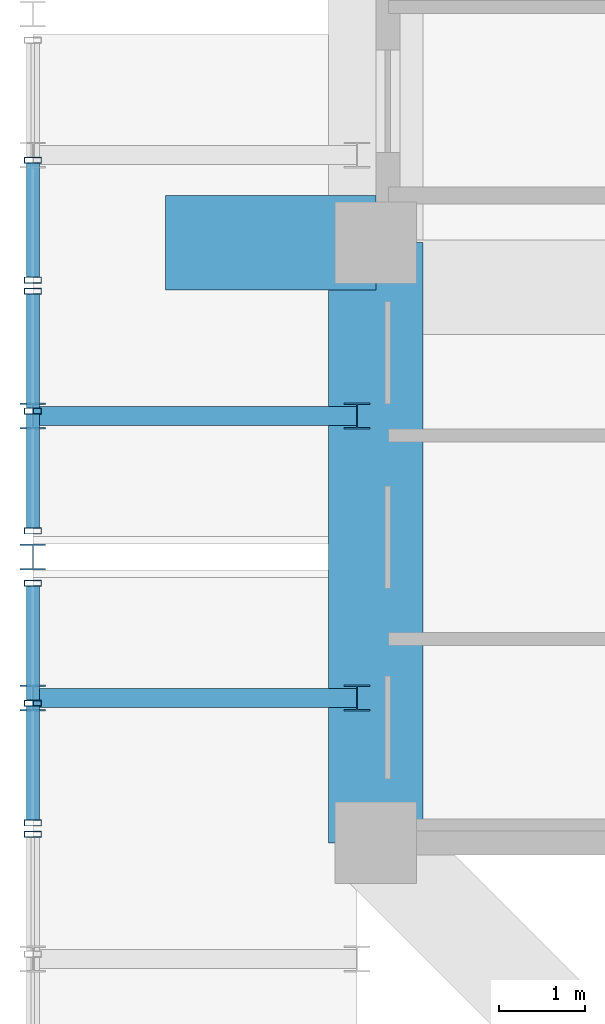
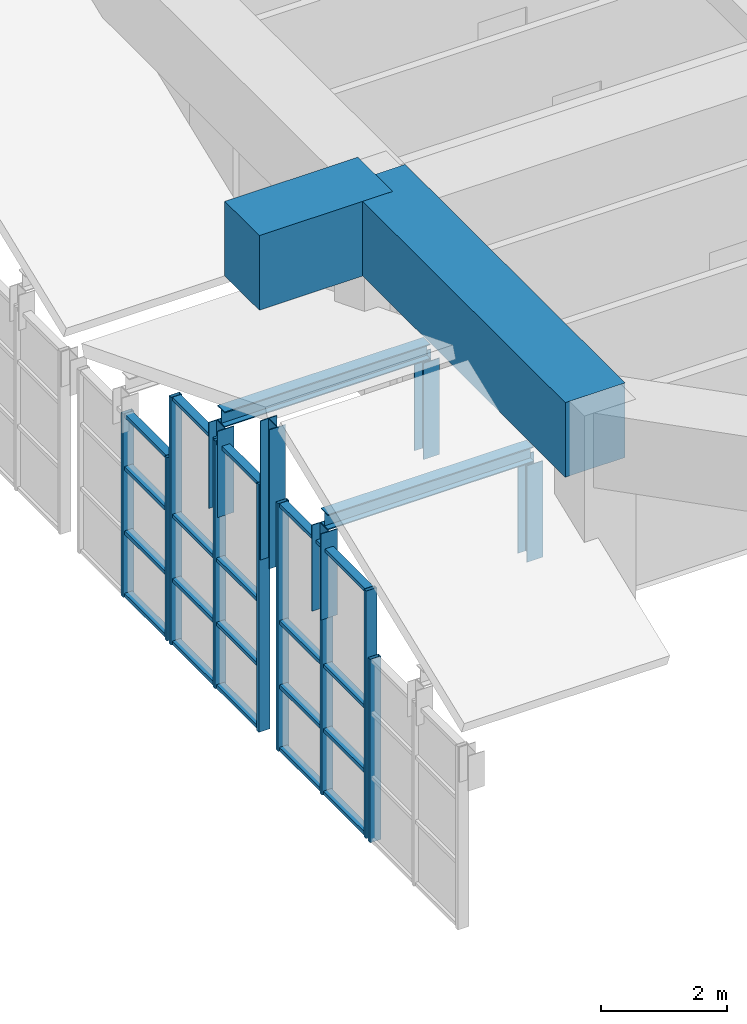
# One storey, part 4 of 45: 36 members, 2 beams, 4 elements without a shape of their own.
"""IFC4 building model written with IfcOpenShell, lengths in metres."""

from ifc_helpers import new_model, si_unit, direction, frame, origin, origin_2d, place, context, subcontext, project, spatial, rectangle, hollow_rectangle, i_section, extrude, source, transform, mapped, material, layer, layer_set, material_profile, profile_set, type_object, element, aggregate, save


model = new_model("IFC4")

# Units and contexts
model_context = context("Model", 3, precision=1e-05, world=origin(), true_north=direction((0.0, 1.0)))
body_context = subcontext(model_context, "Body", "Model", "MODEL_VIEW")
ifc_project = project(units=[si_unit("LENGTHUNIT", "METRE"), si_unit("AREAUNIT", "SQUARE_METRE"), si_unit("VOLUMEUNIT", "CUBIC_METRE"), si_unit("PLANEANGLEUNIT", "RADIAN"), si_unit("MASSUNIT", "GRAM", prefix="KILO")], contexts=[model_context])

# Site, building, storey
site_placement = place(None, origin())
site = spatial("IfcSite", under=ifc_project, at=site_placement, CompositionType="ELEMENT")
building_placement = place(site_placement, origin())
building = spatial("IfcBuilding", under=site, at=building_placement, Name="Saelheon Loggia Tower", CompositionType="ELEMENT")
storey_placement = place(building_placement, frame((0.0, 0.0, 152.199951171875)))
storey = spatial("IfcBuildingStorey", under=building, at=storey_placement, Name="L48", CompositionType="ELEMENT", Elevation=152.199951171875)

# Members
ifc_material_1 = material(Name="Steel SM355", Category="steel")
ifc_material_profile_1 = material_profile(ifc_material_1, i_section(OverallWidth=0.300048828125, OverallDepth=0.300048828125, WebThickness=0.010009765625, FlangeThickness=0.014892578125, at=origin_2d()), Name="H-300x300x10x15")
ifc_profile_set_1 = profile_set([ifc_material_profile_1], Name="Steel SM355")
member_type_1 = type_object("IfcMemberType", Name="WaveCrest_Post_H300", PredefinedType="POST", material=ifc_profile_set_1)
shared_shape_1 = source(origin(), body_context, "Body", "SweptSolid", [
    extrude(i_section(OverallWidth=0.300048828125, OverallDepth=0.300048828125, WebThickness=0.010009765625, FlangeThickness=0.014892578125, at=origin_2d()), origin(), (0.0, 0.0, 1.0), 2.699951171875),
])
member_1_placement = place(storey_placement, frame((12.0, 14.333251953125, 0.0), z_axis=(0.0, 0.0, 1.0), x_axis=(1.0, 0.0, 0.0)))
element("IfcMember", 1, at=member_1_placement, inside=storey, type_object=member_type_1, Name="Tier 1 Wave Crest Upper Post W 01", PredefinedType="POST", context=body_context, shape_type="MappedRepresentation", body=[
    mapped(shared_shape_1, transform((0.0, 0.0, 0.0), scale=1.0)),
])
ifc_material_profile_2 = material_profile(ifc_material_1, i_section(OverallWidth=0.219970703125, OverallDepth=0.300048828125, WebThickness=0.011962890625, FlangeThickness=0.02001953125, at=origin_2d()), Name="H-300x220x12x20")
ifc_profile_set_2 = profile_set([ifc_material_profile_2], Name="Steel SM355")
member_type_2 = type_object("IfcMemberType", Name="Roof_ShoulderPurlin_RHS300", PredefinedType="PURLIN", material=ifc_profile_set_2)
shared_shape_2 = source(origin(), body_context, "Body", "SweptSolid", [
    extrude(i_section(OverallWidth=0.219970703125, OverallDepth=0.300048828125, WebThickness=0.011962890625, FlangeThickness=0.02001953125, at=origin_2d()), origin(), (0.0, 0.0, 1.0), 3.780029296875),
])
for number, where, z_axis, x_axis, name in (
    (2, (12.0, 12.6884765625, 1.823486328125), (1.0, 0.0, 0.0), (0.0, 1.0, 0.0), "Tier 1 Wave Crest Rafter W 01 B"),
    (3, (12.0, 15.97802734375, 1.823486328125), (1.0, 0.0, 0.0), (0.0, 1.0, 0.0), "Tier 1 Wave Crest Rafter W 02 A"),
):
    element("IfcMember", number, at=place(storey_placement, frame(where, z_axis=z_axis, x_axis=x_axis)), inside=storey, type_object=member_type_2, Name=name, PredefinedType="PURLIN", context=body_context, shape_type="MappedRepresentation", body=[
        mapped(shared_shape_2, transform((0.0, 0.0, 0.0), scale=1.0)),
    ])
shared_shape_3 = source(origin(), body_context, "Body", "SweptSolid", [
    extrude(i_section(OverallWidth=0.300048828125, OverallDepth=0.300048828125, WebThickness=0.010009765625, FlangeThickness=0.014892578125, at=origin_2d()), origin(), (0.0, 0.0, 1.0), 1.673583984375),
])
for number, where, z_axis, x_axis, name in (
    (4, (12.0, 12.6884765625, 0.0), (0.0, 0.0, 1.0), (1.0, 0.0, 0.0), "Tier 1 Rafter Outer Upper Post W 01"),
    (5, (12.0, 15.97802734375, 0.0), (0.0, 0.0, 1.0), (1.0, 0.0, 0.0), "Tier 1 Rafter Outer Upper Post W 02"),
):
    element("IfcMember", number, at=place(storey_placement, frame(where, z_axis=z_axis, x_axis=x_axis)), inside=storey, type_object=member_type_1, Name=name, PredefinedType="POST", context=body_context, shape_type="MappedRepresentation", body=[
        mapped(shared_shape_3, transform((0.0, 0.0, 0.0), scale=1.0)),
    ])
ifc_material_profile_3 = material_profile(ifc_material_1, i_section(OverallWidth=0.300048828125, OverallDepth=0.300048828125, WebThickness=0.010009765625, FlangeThickness=0.014892578125, at=origin_2d()), Name="H-300x300x10x15")
ifc_profile_set_3 = profile_set([ifc_material_profile_3], Name="Steel SM355")
member_type_3 = type_object("IfcMemberType", Name="Belt_Post_H300", PredefinedType="POST", material=ifc_profile_set_3)
shared_shape_4 = source(origin(), body_context, "Body", "SweptSolid", [
    extrude(i_section(OverallWidth=0.300048828125, OverallDepth=0.300048828125, WebThickness=0.010009765625, FlangeThickness=0.014892578125, at=origin_2d()), origin(), (0.0, 0.0, 1.0), 1.87353515625),
])
for number, where, z_axis, x_axis, name in (
    (6, (15.780029296875, 12.6884765625, -0.199951171875), (0.0, 0.0, 1.0), (1.0, 0.0, 0.0), "Tier 1 Rafter Inner Post W 01"),
    (7, (15.780029296875, 15.97802734375, -0.199951171875), (0.0, 0.0, 1.0), (1.0, 0.0, 0.0), "Tier 1 Rafter Inner Post W 02"),
):
    element("IfcMember", number, at=place(storey_placement, frame(where, z_axis=z_axis, x_axis=x_axis)), inside=storey, type_object=member_type_3, Name=name, PredefinedType="POST", context=body_context, shape_type="MappedRepresentation", body=[
        mapped(shared_shape_4, transform((0.0, 0.0, 0.0), scale=1.0)),
    ])

# Beams
ifc_material_2 = material(Name="Concrete C50/60", Category="concrete")
ifc_material_profile_4 = material_profile(ifc_material_2, rectangle(XDim=1.10009765625, YDim=1.449951171875, at=origin_2d()), Name="RC-1100x1450")
ifc_profile_set_4 = profile_set([ifc_material_profile_4], Name="Concrete C50/60")
beam_type = type_object("IfcBeamType", Name="Beam_PerimTransfer_RC1100x1450", PredefinedType="BEAM", material=ifc_profile_set_4)
shared_shape_5 = source(origin(), body_context, "Body", "SweptSolid", [
    extrude(rectangle(XDim=1.10009765625, YDim=1.449951171875, at=origin_2d()), origin(), (0.0, 0.0, 1.0), 7.0),
])
beam_1_placement = place(storey_placement, frame((16.0, 18.0, 3.175048828125), z_axis=(0.0, -1.0, 0.0), x_axis=(1.0, 0.0, 0.0)))
element("IfcBeam", 8, at=beam_1_placement, inside=storey, type_object=beam_type, Name="L48 Perimeter Frame Girder 15", PredefinedType="BEAM", context=body_context, shape_type="MappedRepresentation", body=[
    mapped(shared_shape_5, transform((0.0, 0.0, 0.0), scale=1.0)),
])
shared_shape_6 = source(origin(), body_context, "Body", "SweptSolid", [
    extrude(rectangle(XDim=1.10009765625, YDim=1.449951171875, at=origin_2d()), origin(), (0.0, 0.0, 1.0), 2.449951171875),
])
beam_2_placement = place(storey_placement, frame((16.0, 18.0, 3.175048828125), z_axis=(-1.0, 0.0, 0.0), x_axis=(0.0, -1.0, 0.0)))
element("IfcBeam", 9, at=beam_2_placement, inside=storey, type_object=beam_type, Name="L48 Loggia Transfer Tie Beam LP-W1", PredefinedType="BEAM", context=body_context, shape_type="MappedRepresentation", body=[
    mapped(shared_shape_6, transform((0.0, 0.0, 0.0), scale=1.0)),
])

# Curtain wall, member
ifc_material_3 = material(Name="Bronze-Anodised Aluminium and Fritted Ceramic Screen", Category="aluminium")
ifc_layer = layer(ifc_material_3, 0.219970703125)
ifc_layer_set = layer_set([ifc_layer], Name="Bronze-Anodised Aluminium and Fritted Ceramic Screen")
curtain_wall_type = type_object("IfcCurtainWallType", Name="CW_CrownScreen", PredefinedType="NOTDEFINED", material=ifc_layer_set)
curtain_wall_1_placement = place(storey_placement, origin())
curtain_wall_1 = element("IfcCurtainWall", 10, at=curtain_wall_1_placement, inside=storey, type_object=curtain_wall_type, Name="Tier 1 Wave Crest Glazing W 01-1", PredefinedType="NOTDEFINED")
ifc_material_4 = material(Name="Bronze-Anodised Aluminium 6063-T6", Category="aluminium")
ifc_material_profile_5 = material_profile(ifc_material_4, hollow_rectangle(XDim=0.070068359375, YDim=0.199951171875, WallThickness=0.0048828125, at=origin_2d()), Name="RHS-200x70x5")
ifc_profile_set_5 = profile_set([ifc_material_profile_5], Name="Bronze-Anodised Aluminium 6063-T6")
member_type_4 = type_object("IfcMemberType", Name="CW_CrownScreen_Mullion", PredefinedType="MULLION", material=ifc_profile_set_5)
shared_shape_7 = source(origin(), body_context, "Body", "SweptSolid", [
    extrude(hollow_rectangle(XDim=0.070068359375, YDim=0.199951171875, WallThickness=0.0048828125, at=origin_2d()), origin(), (0.0, 0.0, 1.0), 3.56005859375),
])
member_2_placement = place(storey_placement, frame((12.0, 11.101806640625, -3.449951171875), z_axis=(0.0, 0.0, 1.0), x_axis=(0.0, 1.0, 0.0)))
member_2 = element("IfcMember", 11, at=member_2_placement, type_object=member_type_4, Name="CW6 mullion 3", PredefinedType="MULLION", context=body_context, shape_type="MappedRepresentation", body=[
    mapped(shared_shape_7, transform((0.0, 0.0, 0.0), scale=1.0)),
])
aggregate(curtain_wall_1, [member_2])

# Curtain wall, members
curtain_wall_2_placement = place(storey_placement, origin())
curtain_wall_2 = element("IfcCurtainWall", 12, at=curtain_wall_2_placement, inside=storey, type_object=curtain_wall_type, Name="Tier 1 Wave Crest Glazing W 02-2", PredefinedType="NOTDEFINED")
member_3_placement = place(storey_placement, frame((12.0, 17.56494140625, -3.449951171875), z_axis=(0.0, 0.0, 1.0), x_axis=(0.0, 1.0, 0.0)))
member_3 = element("IfcMember", 13, at=member_3_placement, type_object=member_type_4, Name="CW6 mullion 1", PredefinedType="MULLION", context=body_context, shape_type="MappedRepresentation", body=[
    mapped(shared_shape_7, transform((0.0, 0.0, 0.0), scale=1.0)),
])
member_4_placement = place(storey_placement, frame((12.0, 18.96337890625, -3.449951171875), z_axis=(0.0, 0.0, 1.0), x_axis=(0.0, 1.0, 0.0)))
member_4 = element("IfcMember", 14, at=member_4_placement, type_object=member_type_4, Name="CW6 mullion 2", PredefinedType="MULLION", context=body_context, shape_type="MappedRepresentation", body=[
    mapped(shared_shape_7, transform((0.0, 0.0, 0.0), scale=1.0)),
])

curtain_wall_3_placement = place(storey_placement, origin())
curtain_wall_3 = element("IfcCurtainWall", 15, at=curtain_wall_3_placement, inside=storey, type_object=curtain_wall_type, Name="Tier 1 Wave Crest Glazing W 01-2", PredefinedType="NOTDEFINED")
ifc_material_profile_6 = material_profile(ifc_material_4, hollow_rectangle(XDim=0.070068359375, YDim=0.14990234375, WallThickness=0.0048828125, at=origin_2d()), Name="RHS-150x70x5")
ifc_profile_set_6 = profile_set([ifc_material_profile_6], Name="Bronze-Anodised Aluminium 6063-T6")
member_type_5 = type_object("IfcMemberType", Name="CW_CrownScreen_Transom", PredefinedType="USERDEFINED", material=ifc_profile_set_6)
shared_shape_8 = source(origin(), body_context, "Body", "SweptSolid", [
    extrude(hollow_rectangle(XDim=0.070068359375, YDim=0.14990234375, WallThickness=0.0048828125, at=origin_2d()), origin(), (0.0, 0.0, 1.0), 1.328369140625),
])
member_5_placement = place(storey_placement, frame((12.0, 11.2666015625, -3.4150390625), z_axis=(0.0, 1.0, 0.0), x_axis=(0.0, 0.0, 1.0)))
member_5 = element("IfcMember", 16, at=member_5_placement, type_object=member_type_5, Name="CW6 transom 1.1", ObjectType="TRANSOM", PredefinedType="USERDEFINED", context=body_context, shape_type="MappedRepresentation", body=[
    mapped(shared_shape_8, transform((0.0, 0.0, 0.0), scale=1.0)),
])
member_6_placement = place(storey_placement, frame((12.0, 11.2666015625, -2.199951171875), z_axis=(0.0, 1.0, 0.0), x_axis=(0.0, 0.0, 1.0)))
member_6 = element("IfcMember", 17, at=member_6_placement, type_object=member_type_5, Name="CW6 transom 1.2", ObjectType="TRANSOM", PredefinedType="USERDEFINED", context=body_context, shape_type="MappedRepresentation", body=[
    mapped(shared_shape_8, transform((0.0, 0.0, 0.0), scale=1.0)),
])
member_7_placement = place(storey_placement, frame((12.0, 11.2666015625, -0.949951171875), z_axis=(0.0, 1.0, 0.0), x_axis=(0.0, 0.0, 1.0)))
member_7 = element("IfcMember", 18, at=member_7_placement, type_object=member_type_5, Name="CW6 transom 1.3", ObjectType="TRANSOM", PredefinedType="USERDEFINED", context=body_context, shape_type="MappedRepresentation", body=[
    mapped(shared_shape_8, transform((0.0, 0.0, 0.0), scale=1.0)),
])
member_8_placement = place(storey_placement, frame((12.0, 11.2666015625, 1.324951171875), z_axis=(0.0, 1.0, 0.0), x_axis=(0.0, 0.0, 1.0)))
member_8 = element("IfcMember", 19, at=member_8_placement, type_object=member_type_5, Name="CW6 transom 1.4", ObjectType="TRANSOM", PredefinedType="USERDEFINED", context=body_context, shape_type="MappedRepresentation", body=[
    mapped(shared_shape_8, transform((0.0, 0.0, 0.0), scale=1.0)),
])
member_9_placement = place(storey_placement, frame((12.0, 12.6650390625, -3.4150390625), z_axis=(0.0, 1.0, 0.0), x_axis=(0.0, 0.0, 1.0)))
member_9 = element("IfcMember", 20, at=member_9_placement, type_object=member_type_5, Name="CW6 transom 2.1", ObjectType="TRANSOM", PredefinedType="USERDEFINED", context=body_context, shape_type="MappedRepresentation", body=[
    mapped(shared_shape_8, transform((0.0, 0.0, 0.0), scale=1.0)),
])
member_10_placement = place(storey_placement, frame((12.0, 12.6650390625, -2.199951171875), z_axis=(0.0, 1.0, 0.0), x_axis=(0.0, 0.0, 1.0)))
member_10 = element("IfcMember", 21, at=member_10_placement, type_object=member_type_5, Name="CW6 transom 2.2", ObjectType="TRANSOM", PredefinedType="USERDEFINED", context=body_context, shape_type="MappedRepresentation", body=[
    mapped(shared_shape_8, transform((0.0, 0.0, 0.0), scale=1.0)),
])
member_11_placement = place(storey_placement, frame((12.0, 12.6650390625, -0.949951171875), z_axis=(0.0, 1.0, 0.0), x_axis=(0.0, 0.0, 1.0)))
member_11 = element("IfcMember", 22, at=member_11_placement, type_object=member_type_5, Name="CW6 transom 2.3", ObjectType="TRANSOM", PredefinedType="USERDEFINED", context=body_context, shape_type="MappedRepresentation", body=[
    mapped(shared_shape_8, transform((0.0, 0.0, 0.0), scale=1.0)),
])
member_12_placement = place(storey_placement, frame((12.0, 12.6650390625, 1.324951171875), z_axis=(0.0, 1.0, 0.0), x_axis=(0.0, 0.0, 1.0)))
member_12 = element("IfcMember", 23, at=member_12_placement, type_object=member_type_5, Name="CW6 transom 2.4", ObjectType="TRANSOM", PredefinedType="USERDEFINED", context=body_context, shape_type="MappedRepresentation", body=[
    mapped(shared_shape_8, transform((0.0, 0.0, 0.0), scale=1.0)),
])

curtain_wall_4_placement = place(storey_placement, origin())
curtain_wall_4 = element("IfcCurtainWall", 24, at=curtain_wall_4_placement, inside=storey, type_object=curtain_wall_type, Name="Tier 1 Wave Crest Glazing W 02-1", PredefinedType="NOTDEFINED")
member_13_placement = place(storey_placement, frame((12.0, 14.67333984375, -3.4150390625), z_axis=(0.0, 1.0, 0.0), x_axis=(0.0, 0.0, 1.0)))
member_13 = element("IfcMember", 25, at=member_13_placement, type_object=member_type_5, Name="CW6 transom 1.1", ObjectType="TRANSOM", PredefinedType="USERDEFINED", context=body_context, shape_type="MappedRepresentation", body=[
    mapped(shared_shape_8, transform((0.0, 0.0, 0.0), scale=1.0)),
])
member_14_placement = place(storey_placement, frame((12.0, 14.67333984375, -2.199951171875), z_axis=(0.0, 1.0, 0.0), x_axis=(0.0, 0.0, 1.0)))
member_14 = element("IfcMember", 26, at=member_14_placement, type_object=member_type_5, Name="CW6 transom 1.2", ObjectType="TRANSOM", PredefinedType="USERDEFINED", context=body_context, shape_type="MappedRepresentation", body=[
    mapped(shared_shape_8, transform((0.0, 0.0, 0.0), scale=1.0)),
])
member_15_placement = place(storey_placement, frame((12.0, 14.67333984375, -0.949951171875), z_axis=(0.0, 1.0, 0.0), x_axis=(0.0, 0.0, 1.0)))
member_15 = element("IfcMember", 27, at=member_15_placement, type_object=member_type_5, Name="CW6 transom 1.3", ObjectType="TRANSOM", PredefinedType="USERDEFINED", context=body_context, shape_type="MappedRepresentation", body=[
    mapped(shared_shape_8, transform((0.0, 0.0, 0.0), scale=1.0)),
])
member_16_placement = place(storey_placement, frame((12.0, 14.67333984375, 1.324951171875), z_axis=(0.0, 1.0, 0.0), x_axis=(0.0, 0.0, 1.0)))
member_16 = element("IfcMember", 28, at=member_16_placement, type_object=member_type_5, Name="CW6 transom 1.4", ObjectType="TRANSOM", PredefinedType="USERDEFINED", context=body_context, shape_type="MappedRepresentation", body=[
    mapped(shared_shape_8, transform((0.0, 0.0, 0.0), scale=1.0)),
])
member_17_placement = place(storey_placement, frame((12.0, 16.071533203125, -3.4150390625), z_axis=(0.0, 1.0, 0.0), x_axis=(0.0, 0.0, 1.0)))
member_17 = element("IfcMember", 29, at=member_17_placement, type_object=member_type_5, Name="CW6 transom 2.1", ObjectType="TRANSOM", PredefinedType="USERDEFINED", context=body_context, shape_type="MappedRepresentation", body=[
    mapped(shared_shape_8, transform((0.0, 0.0, 0.0), scale=1.0)),
])
member_18_placement = place(storey_placement, frame((12.0, 16.071533203125, -2.199951171875), z_axis=(0.0, 1.0, 0.0), x_axis=(0.0, 0.0, 1.0)))
member_18 = element("IfcMember", 30, at=member_18_placement, type_object=member_type_5, Name="CW6 transom 2.2", ObjectType="TRANSOM", PredefinedType="USERDEFINED", context=body_context, shape_type="MappedRepresentation", body=[
    mapped(shared_shape_8, transform((0.0, 0.0, 0.0), scale=1.0)),
])
member_19_placement = place(storey_placement, frame((12.0, 16.071533203125, -0.949951171875), z_axis=(0.0, 1.0, 0.0), x_axis=(0.0, 0.0, 1.0)))
member_19 = element("IfcMember", 31, at=member_19_placement, type_object=member_type_5, Name="CW6 transom 2.3", ObjectType="TRANSOM", PredefinedType="USERDEFINED", context=body_context, shape_type="MappedRepresentation", body=[
    mapped(shared_shape_8, transform((0.0, 0.0, 0.0), scale=1.0)),
])
member_20_placement = place(storey_placement, frame((12.0, 16.071533203125, 1.324951171875), z_axis=(0.0, 1.0, 0.0), x_axis=(0.0, 0.0, 1.0)))
member_20 = element("IfcMember", 32, at=member_20_placement, type_object=member_type_5, Name="CW6 transom 2.4", ObjectType="TRANSOM", PredefinedType="USERDEFINED", context=body_context, shape_type="MappedRepresentation", body=[
    mapped(shared_shape_8, transform((0.0, 0.0, 0.0), scale=1.0)),
])

# Member
member_21_placement = place(storey_placement, frame((12.0, 17.60009765625, -3.4150390625), z_axis=(0.0, 1.0, 0.0), x_axis=(0.0, 0.0, 1.0)))
member_21 = element("IfcMember", 33, at=member_21_placement, type_object=member_type_5, Name="CW6 transom 1.1", ObjectType="TRANSOM", PredefinedType="USERDEFINED", context=body_context, shape_type="MappedRepresentation", body=[
    mapped(shared_shape_8, transform((0.0, 0.0, 0.0), scale=1.0)),
])

member_22_placement = place(storey_placement, frame((12.0, 17.60009765625, -2.199951171875), z_axis=(0.0, 1.0, 0.0), x_axis=(0.0, 0.0, 1.0)))
member_22 = element("IfcMember", 34, at=member_22_placement, type_object=member_type_5, Name="CW6 transom 1.2", ObjectType="TRANSOM", PredefinedType="USERDEFINED", context=body_context, shape_type="MappedRepresentation", body=[
    mapped(shared_shape_8, transform((0.0, 0.0, 0.0), scale=1.0)),
])

member_23_placement = place(storey_placement, frame((12.0, 17.60009765625, -0.949951171875), z_axis=(0.0, 1.0, 0.0), x_axis=(0.0, 0.0, 1.0)))
member_23 = element("IfcMember", 35, at=member_23_placement, type_object=member_type_5, Name="CW6 transom 1.3", ObjectType="TRANSOM", PredefinedType="USERDEFINED", context=body_context, shape_type="MappedRepresentation", body=[
    mapped(shared_shape_8, transform((0.0, 0.0, 0.0), scale=1.0)),
])

member_24_placement = place(storey_placement, frame((12.0, 17.60009765625, 0.074951171875), z_axis=(0.0, 1.0, 0.0), x_axis=(0.0, 0.0, 1.0)))
member_24 = element("IfcMember", 36, at=member_24_placement, type_object=member_type_5, Name="CW6 transom 1.4", ObjectType="TRANSOM", PredefinedType="USERDEFINED", context=body_context, shape_type="MappedRepresentation", body=[
    mapped(shared_shape_8, transform((0.0, 0.0, 0.0), scale=1.0)),
])

aggregate(curtain_wall_2, [member_3, member_4, member_21, member_22, member_23, member_24])

shared_shape_9 = source(origin(), body_context, "Body", "SweptSolid", [
    extrude(hollow_rectangle(XDim=0.070068359375, YDim=0.199951171875, WallThickness=0.0048828125, at=origin_2d()), origin(), (0.0, 0.0, 1.0), 4.81005859375),
])
member_25_placement = place(storey_placement, frame((12.0, 11.231689453125, -3.449951171875), z_axis=(0.0, 0.0, 1.0), x_axis=(0.0, 1.0, 0.0)))
member_25 = element("IfcMember", 37, at=member_25_placement, type_object=member_type_4, Name="CW6 mullion 1", PredefinedType="MULLION", context=body_context, shape_type="MappedRepresentation", body=[
    mapped(shared_shape_9, transform((0.0, 0.0, 0.0), scale=1.0)),
])

member_26_placement = place(storey_placement, frame((12.0, 12.6298828125, -3.449951171875), z_axis=(0.0, 0.0, 1.0), x_axis=(0.0, 1.0, 0.0)))
member_26 = element("IfcMember", 38, at=member_26_placement, type_object=member_type_4, Name="CW6 mullion 2", PredefinedType="MULLION", context=body_context, shape_type="MappedRepresentation", body=[
    mapped(shared_shape_9, transform((0.0, 0.0, 0.0), scale=1.0)),
])

member_27_placement = place(storey_placement, frame((12.0, 14.0283203125, -3.449951171875), z_axis=(0.0, 0.0, 1.0), x_axis=(0.0, 1.0, 0.0)))
member_27 = element("IfcMember", 39, at=member_27_placement, type_object=member_type_4, Name="CW6 mullion 3", PredefinedType="MULLION", context=body_context, shape_type="MappedRepresentation", body=[
    mapped(shared_shape_9, transform((0.0, 0.0, 0.0), scale=1.0)),
])

aggregate(curtain_wall_3, [member_25, member_26, member_27, member_5, member_6, member_7, member_8, member_9, member_10, member_11, member_12])

member_28_placement = place(storey_placement, frame((12.0, 14.63818359375, -3.449951171875), z_axis=(0.0, 0.0, 1.0), x_axis=(0.0, 1.0, 0.0)))
member_28 = element("IfcMember", 40, at=member_28_placement, type_object=member_type_4, Name="CW6 mullion 1", PredefinedType="MULLION", context=body_context, shape_type="MappedRepresentation", body=[
    mapped(shared_shape_9, transform((0.0, 0.0, 0.0), scale=1.0)),
])

member_29_placement = place(storey_placement, frame((12.0, 16.03662109375, -3.449951171875), z_axis=(0.0, 0.0, 1.0), x_axis=(0.0, 1.0, 0.0)))
member_29 = element("IfcMember", 41, at=member_29_placement, type_object=member_type_4, Name="CW6 mullion 2", PredefinedType="MULLION", context=body_context, shape_type="MappedRepresentation", body=[
    mapped(shared_shape_9, transform((0.0, 0.0, 0.0), scale=1.0)),
])

member_30_placement = place(storey_placement, frame((12.0, 17.43505859375, -3.449951171875), z_axis=(0.0, 0.0, 1.0), x_axis=(0.0, 1.0, 0.0)))
member_30 = element("IfcMember", 42, at=member_30_placement, type_object=member_type_4, Name="CW6 mullion 3", PredefinedType="MULLION", context=body_context, shape_type="MappedRepresentation", body=[
    mapped(shared_shape_9, transform((0.0, 0.0, 0.0), scale=1.0)),
])

aggregate(curtain_wall_4, [member_28, member_29, member_30, member_13, member_14, member_15, member_16, member_17, member_18, member_19, member_20])

save(model, "model.ifc")
